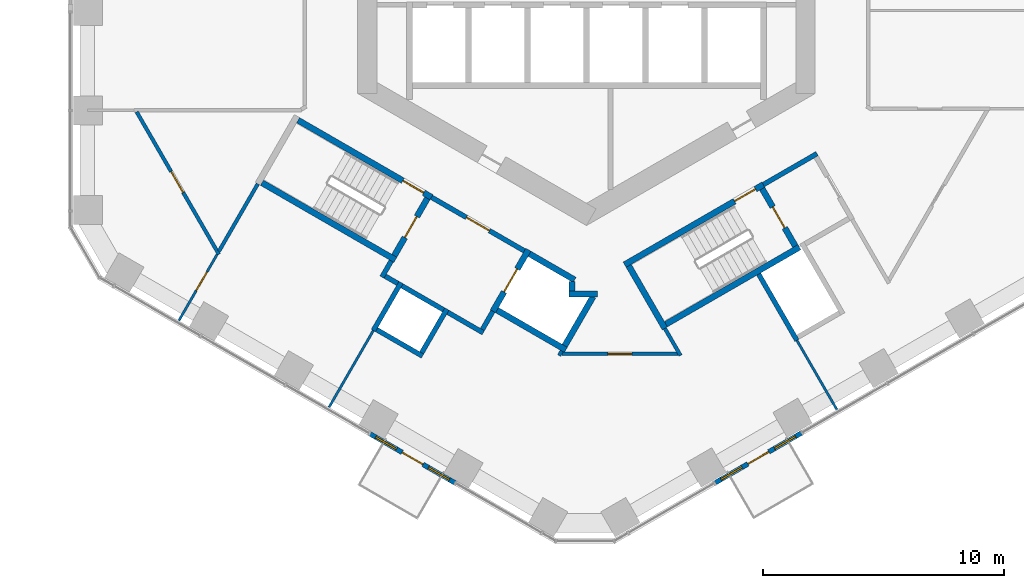
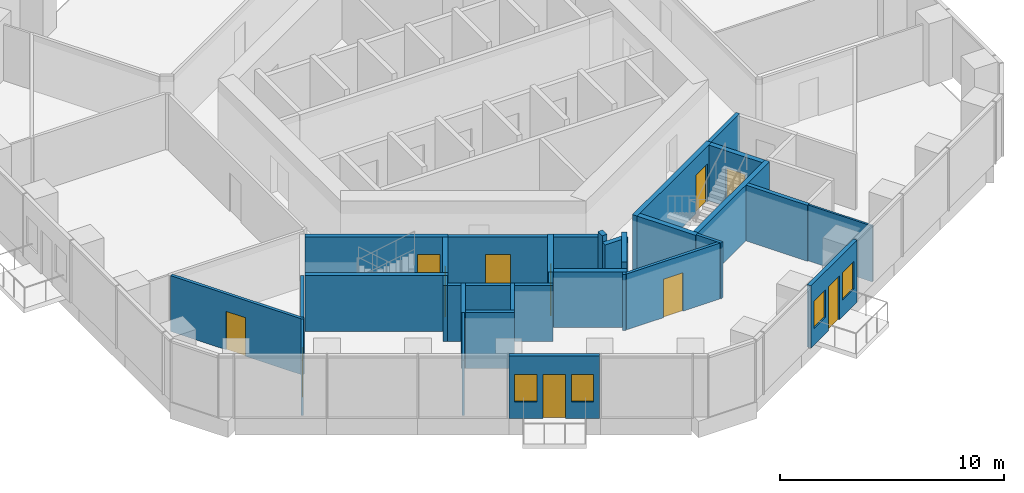
# One storey, part 13 of 20: 34 walls, 11 doors, 4 windows, 15 openings.
"""IFC4 building model written with IfcOpenShell, lengths in metres."""

from ifc_helpers import new_model, si_unit, direction, frame, frame_2d, origin, place, context, subcontext, project, spatial, rectangle, extrude, material, layer, layer_set, type_object, element, fill, save


model = new_model("IFC4")

# Units and contexts
model_context = context("Model", 3, precision=1e-05, world=origin(), true_north=direction((0.0, 1.0)))
body_context = subcontext(model_context, "Body", "Model", "MODEL_VIEW")
ifc_project = project(units=[si_unit("LENGTHUNIT", "METRE"), si_unit("AREAUNIT", "SQUARE_METRE"), si_unit("VOLUMEUNIT", "CUBIC_METRE"), si_unit("PLANEANGLEUNIT", "RADIAN"), si_unit("MASSUNIT", "GRAM", prefix="KILO")], contexts=[model_context])

# Site, building, storey
site_placement = place(None, origin())
site = spatial("IfcSite", under=ifc_project, at=site_placement, CompositionType="ELEMENT")
building_placement = place(site_placement, origin())
building = spatial("IfcBuilding", under=site, at=building_placement, Name="Ayvan Gate Tower", CompositionType="ELEMENT")
storey_placement = place(building_placement, frame((0.0, 0.0, 28.89990234375)))
storey = spatial("IfcBuildingStorey", under=building, at=storey_placement, Name="L06", CompositionType="ELEMENT", Elevation=28.89990234375)

# Wall, openings, door, windows
ifc_material_1 = material(Name="Insulated metal panel wall")
ifc_layer_1 = layer(ifc_material_1, 0.199951171875)
ifc_layer_set_1 = layer_set([ifc_layer_1], Name="Insulated metal panel wall")
wall_type_1 = type_object("IfcWallType", Name="Balcony door wall 200", PredefinedType="SOLIDWALL", material=ifc_layer_set_1)
wall_1_placement = place(storey_placement, frame((-8.981201171875, -19.623046875, 0.0), z_axis=(0.0, 0.0, 1.0), x_axis=(0.866028600041, -0.49999446388, 0.0)))
wall_1 = element("IfcWall", 1, at=wall_1_placement, inside=storey, type_object=wall_type_1, Name="EW:L06:4:3", PredefinedType="SOLIDWALL", context=body_context, shape_type="SweptSolid", body=[
    extrude(rectangle(XDim=4.06591796875, YDim=0.199951171875, at=frame_2d((2.032958984375, 0.0))), origin(), (0.0, 0.0, 1.0), 3.400146484375),
])
opening_1_placement = place(wall_1_placement, frame((1.532958984375, 0.0, 0.0)))
opening_1 = element("IfcOpeningElement", 2, at=opening_1_placement, cuts=wall_1, Name="Opening L06-D94", PredefinedType="OPENING", context=body_context, shape_type="SweptSolid", body=[
    extrude(rectangle(XDim=1.0, YDim=2.39990234375, at=frame_2d((0.5, 1.199951171875))), frame((0.0, 0.10986328125, 0.0), z_axis=(0.0, -1.0, 0.0), x_axis=(1.0, 0.0, 0.0)), (0.0, 0.0, 1.0), 0.219970703125),
])
opening_2_placement = place(wall_1_placement, frame((0.2666015625, 0.0, 0.89990234375)))
opening_2 = element("IfcOpeningElement", 3, at=opening_2_placement, cuts=wall_1, Name="Opening W-B1", PredefinedType="OPENING", context=body_context, shape_type="SweptSolid", body=[
    extrude(rectangle(XDim=1.0, YDim=1.5, at=frame_2d((0.5, 0.75))), frame((0.0, 0.10986328125, 0.0), z_axis=(0.0, -1.0, 0.0), x_axis=(1.0, 0.0, 0.0)), (0.0, 0.0, 1.0), 0.219970703125),
])
opening_3_placement = place(wall_1_placement, frame((2.799560546875, 0.0, 0.89990234375)))
opening_3 = element("IfcOpeningElement", 4, at=opening_3_placement, cuts=wall_1, Name="Opening W-B1", PredefinedType="OPENING", context=body_context, shape_type="SweptSolid", body=[
    extrude(rectangle(XDim=1.0, YDim=1.5, at=frame_2d((0.5, 0.75))), frame((0.0, 0.10986328125, 0.0), z_axis=(0.0, -1.0, 0.0), x_axis=(1.0, 0.0, 0.0)), (0.0, 0.0, 1.0), 0.219970703125),
])
ifc_material_2 = material(Name="Bronze anodised aluminium and clear glass", Category="aluminium")
door_type_1 = type_object("IfcDoorType", Name="Balcony door D-B", OperationType="SINGLE_SWING_RIGHT", PredefinedType="DOOR", material=ifc_material_2)
door_1_placement = place(opening_1_placement, origin())
door_1 = element("IfcDoor", 5, at=door_1_placement, inside=storey, type_object=door_type_1, Name="Balcony door BAL-L06-4", OperationType="SINGLE_SWING_RIGHT", OverallHeight=2.39990234375, OverallWidth=1.0, PredefinedType="DOOR", context=body_context, shape_type="SweptSolid", body=[
    extrude(rectangle(XDim=1.0, YDim=2.39990234375, at=frame_2d((0.5, 1.199951171875))), frame((0.0, 0.02490234375, 0.0), z_axis=(0.0, -1.0, 0.0), x_axis=(1.0, 0.0, 0.0)), (0.0, 0.0, 1.0), 0.050048828125),
])
fill(opening_1, door_1)
window_type = type_object("IfcWindowType", Name="Balcony side light W-B Z1", PartitioningType="SINGLE_PANEL", PredefinedType="WINDOW", material=ifc_material_2)
window_1_placement = place(opening_2_placement, origin())
window_1 = element("IfcWindow", 6, at=window_1_placement, inside=storey, type_object=window_type, Name="Balcony side light BAL-L06-4.1", OverallHeight=1.5, OverallWidth=1.0, PartitioningType="SINGLE_PANEL", PredefinedType="WINDOW", context=body_context, shape_type="SweptSolid", body=[
    extrude(rectangle(XDim=1.0, YDim=1.5, at=frame_2d((0.5, 0.75))), frame((0.0, 0.030029296875, 0.0), z_axis=(0.0, -1.0, 0.0), x_axis=(1.0, 0.0, 0.0)), (0.0, 0.0, 1.0), 0.06005859375),
])
fill(opening_2, window_1)
window_2_placement = place(opening_3_placement, origin())
window_2 = element("IfcWindow", 7, at=window_2_placement, inside=storey, type_object=window_type, Name="Balcony side light BAL-L06-4.2", OverallHeight=1.5, OverallWidth=1.0, PartitioningType="SINGLE_PANEL", PredefinedType="WINDOW", context=body_context, shape_type="SweptSolid", body=[
    extrude(rectangle(XDim=1.0, YDim=1.5, at=frame_2d((0.5, 0.75))), frame((0.0, 0.030029296875, 0.0), z_axis=(0.0, -1.0, 0.0), x_axis=(1.0, 0.0, 0.0)), (0.0, 0.0, 1.0), 0.06005859375),
])
fill(opening_3, window_2)

wall_2_placement = place(storey_placement, frame((5.350830078125, -21.650390625, 0.0), z_axis=(0.0, 0.0, 1.0), x_axis=(0.866028988896, 0.499993790352, 0.0)))
wall_2 = element("IfcWall", 8, at=wall_2_placement, inside=storey, type_object=wall_type_1, Name="EW:L06:5:1", PredefinedType="SOLIDWALL", context=body_context, shape_type="SweptSolid", body=[
    extrude(rectangle(XDim=4.1279296875, YDim=0.199951171875, at=frame_2d((2.06396484375, 0.0))), origin(), (0.0, 0.0, 1.0), 3.400146484375),
])
opening_4_placement = place(wall_2_placement, frame((1.56396484375, 0.0, 0.0)))
opening_4 = element("IfcOpeningElement", 9, at=opening_4_placement, cuts=wall_2, Name="Opening L06-D95", PredefinedType="OPENING", context=body_context, shape_type="SweptSolid", body=[
    extrude(rectangle(XDim=1.0, YDim=2.39990234375, at=frame_2d((0.5, 1.199951171875))), frame((0.0, 0.10986328125, 0.0), z_axis=(0.0, -1.0, 0.0), x_axis=(1.0, 0.0, 0.0)), (0.0, 0.0, 1.0), 0.219970703125),
])
opening_5_placement = place(wall_2_placement, frame((0.281982421875, 0.0, 0.89990234375)))
opening_5 = element("IfcOpeningElement", 10, at=opening_5_placement, cuts=wall_2, Name="Opening W-B1", PredefinedType="OPENING", context=body_context, shape_type="SweptSolid", body=[
    extrude(rectangle(XDim=1.0, YDim=1.5, at=frame_2d((0.5, 0.75))), frame((0.0, 0.10986328125, 0.0), z_axis=(0.0, -1.0, 0.0), x_axis=(1.0, 0.0, 0.0)), (0.0, 0.0, 1.0), 0.219970703125),
])
opening_6_placement = place(wall_2_placement, frame((2.845947265625, 0.0, 0.89990234375)))
opening_6 = element("IfcOpeningElement", 11, at=opening_6_placement, cuts=wall_2, Name="Opening W-B1", PredefinedType="OPENING", context=body_context, shape_type="SweptSolid", body=[
    extrude(rectangle(XDim=1.0, YDim=1.5, at=frame_2d((0.5, 0.75))), frame((0.0, 0.10986328125, 0.0), z_axis=(0.0, -1.0, 0.0), x_axis=(1.0, 0.0, 0.0)), (0.0, 0.0, 1.0), 0.219970703125),
])
door_2_placement = place(opening_4_placement, origin())
door_2 = element("IfcDoor", 12, at=door_2_placement, inside=storey, type_object=door_type_1, Name="Balcony door BAL-L06-5", OperationType="SINGLE_SWING_RIGHT", OverallHeight=2.39990234375, OverallWidth=1.0, PredefinedType="DOOR", context=body_context, shape_type="SweptSolid", body=[
    extrude(rectangle(XDim=1.0, YDim=2.39990234375, at=frame_2d((0.5, 1.199951171875))), frame((0.0, 0.02490234375, 0.0), z_axis=(0.0, -1.0, 0.0), x_axis=(1.0, 0.0, 0.0)), (0.0, 0.0, 1.0), 0.050048828125),
])
fill(opening_4, door_2)
window_3_placement = place(opening_5_placement, origin())
window_3 = element("IfcWindow", 13, at=window_3_placement, inside=storey, type_object=window_type, Name="Balcony side light BAL-L06-5.1", OverallHeight=1.5, OverallWidth=1.0, PartitioningType="SINGLE_PANEL", PredefinedType="WINDOW", context=body_context, shape_type="SweptSolid", body=[
    extrude(rectangle(XDim=1.0, YDim=1.5, at=frame_2d((0.5, 0.75))), frame((0.0, 0.030029296875, 0.0), z_axis=(0.0, -1.0, 0.0), x_axis=(1.0, 0.0, 0.0)), (0.0, 0.0, 1.0), 0.06005859375),
])
fill(opening_5, window_3)
window_4_placement = place(opening_6_placement, origin())
window_4 = element("IfcWindow", 14, at=window_4_placement, inside=storey, type_object=window_type, Name="Balcony side light BAL-L06-5.2", OverallHeight=1.5, OverallWidth=1.0, PartitioningType="SINGLE_PANEL", PredefinedType="WINDOW", context=body_context, shape_type="SweptSolid", body=[
    extrude(rectangle(XDim=1.0, YDim=1.5, at=frame_2d((0.5, 0.75))), frame((0.0, 0.030029296875, 0.0), z_axis=(0.0, -1.0, 0.0), x_axis=(1.0, 0.0, 0.0)), (0.0, 0.0, 1.0), 0.06005859375),
])
fill(opening_6, window_4)

# Wall, opening, door
ifc_material_3 = material(Name="Plasterboard on steel stud", Category="steel")
ifc_layer_2 = layer(ifc_material_3, 0.14990234375)
ifc_layer_set_2 = layer_set([ifc_layer_2], Name="Plasterboard on steel stud")
wall_type_2 = type_object("IfcWallType", Name="WT-CORR-150", PredefinedType="PARTITIONING", material=ifc_layer_set_2)
wall_3_placement = place(storey_placement, frame((-15.26318359375, -12.16650390625, 0.0), z_axis=(0.0, 0.0, 1.0), x_axis=(-0.500022320372, 0.866012516728, 0.0)))
wall_3 = element("IfcWall", 15, at=wall_3_placement, inside=storey, type_object=wall_type_2, Name="IW-L06-005", PredefinedType="PARTITIONING", context=body_context, shape_type="SweptSolid", body=[
    extrude(rectangle(XDim=6.836181640625, YDim=0.14990234375, at=frame_2d((3.41796875, 0.0))), origin(), (0.0, 0.0, 1.0), 3.050048828125),
])
opening_7_placement = place(wall_3_placement, frame((2.972900390625, 0.0, 0.0)))
opening_7 = element("IfcOpeningElement", 16, at=opening_7_placement, cuts=wall_3, Name="Opening L06-D25", PredefinedType="OPENING", context=body_context, shape_type="SweptSolid", body=[
    extrude(rectangle(XDim=1.0, YDim=2.10009765625, at=frame_2d((0.5, 1.050048828125))), frame((0.0, 0.0849609375, 0.0), z_axis=(0.0, -1.0, 0.0), x_axis=(1.0, 0.0, 0.0)), (0.0, 0.0, 1.0), 0.169921875),
])
ifc_material_4 = material(Name="Timber door leaf", Category="wood")
door_type_2 = type_object("IfcDoorType", Name="DT-1000", OperationType="NOTDEFINED", PredefinedType="DOOR", material=ifc_material_4)
door_3_placement = place(opening_7_placement, origin())
door_3 = element("IfcDoor", 17, at=door_3_placement, inside=storey, type_object=door_type_2, Name="ID-L06-025", OperationType="SINGLE_SWING_LEFT", OverallHeight=2.10009765625, OverallWidth=1.0, PredefinedType="DOOR", context=body_context, shape_type="SweptSolid", body=[
    extrude(rectangle(XDim=1.0, YDim=2.10009765625, at=frame_2d((0.5, 1.050048828125))), frame((0.0, 0.02490234375, 0.0), z_axis=(0.0, -1.0, 0.0), x_axis=(1.0, 0.0, 0.0)), (0.0, 0.0, 1.0), 0.050048828125),
])
fill(opening_7, door_3)

# Walls
wall_4_placement = place(storey_placement, frame((-13.647705078125, -9.23876953125, 0.0), z_axis=(0.0, 0.0, 1.0), x_axis=(-0.500032073372, -0.866006885423, 0.0)))
element("IfcWall", 18, at=wall_4_placement, inside=storey, type_object=wall_type_2, Name="IW-L06-009", PredefinedType="PARTITIONING", context=body_context, shape_type="SweptSolid", body=[
    extrude(rectangle(XDim=3.230712890625, YDim=0.14990234375, at=frame_2d((1.615234375, 0.0))), origin(), (0.0, 0.0, 1.0), 3.050048828125),
])
wall_5_placement = place(storey_placement, frame((-1.135498046875, -16.36669921875, 0.0), z_axis=(0.0, 0.0, 1.0), x_axis=(0.500014901547, 0.866016800201, 0.0)))
element("IfcWall", 19, at=wall_5_placement, inside=storey, type_object=wall_type_2, Name="IW-L06-045", PredefinedType="PARTITIONING", context=body_context, shape_type="SweptSolid", body=[
    extrude(rectangle(XDim=0.216796875, YDim=0.14990234375, at=frame_2d((0.1083984375, 0.0))), origin(), (0.0, 0.0, 1.0), 3.050048828125),
])
wall_6_placement = place(storey_placement, frame((3.255615234375, -15.23876953125, 0.0), z_axis=(0.0, 0.0, 1.0), x_axis=(0.499949632511, -0.866054481515, 0.0)))
element("IfcWall", 20, at=wall_6_placement, inside=storey, type_object=wall_type_2, Name="IW-L06-066", PredefinedType="PARTITIONING", context=body_context, shape_type="SweptSolid", body=[
    extrude(rectangle(XDim=1.302490234375, YDim=0.14990234375, at=frame_2d((0.6513671875, 0.0))), origin(), (0.0, 0.0, 1.0), 3.050048828125),
])

# Wall, opening, door
wall_7_placement = place(storey_placement, frame((3.794189453125, -16.301513671875, 0.0), z_axis=(0.0, 0.0, 1.0), x_axis=(-1.0, 0.0, 0.0)))
wall_7 = element("IfcWall", 21, at=wall_7_placement, inside=storey, type_object=wall_type_2, Name="IW-L06-069", PredefinedType="PARTITIONING", context=body_context, shape_type="SweptSolid", body=[
    extrude(rectangle(XDim=4.817138671875, YDim=0.14990234375, at=frame_2d((2.40869140625, 0.0))), origin(), (0.0, 0.0, 1.0), 3.050048828125),
])
opening_8_placement = place(wall_7_placement, frame((1.908447265625, 0.0, 0.0)))
opening_8 = element("IfcOpeningElement", 22, at=opening_8_placement, cuts=wall_7, Name="Opening L06-D27", PredefinedType="OPENING", context=body_context, shape_type="SweptSolid", body=[
    extrude(rectangle(XDim=1.0, YDim=2.10009765625, at=frame_2d((0.5, 1.050048828125))), frame((0.0, 0.0849609375, 0.0), z_axis=(0.0, -1.0, 0.0), x_axis=(1.0, 0.0, 0.0)), (0.0, 0.0, 1.0), 0.169921875),
])
door_4_placement = place(opening_8_placement, origin())
door_4 = element("IfcDoor", 23, at=door_4_placement, inside=storey, type_object=door_type_2, Name="ID-L06-027", OperationType="SINGLE_SWING_LEFT", OverallHeight=2.10009765625, OverallWidth=1.0, PredefinedType="DOOR", context=body_context, shape_type="SweptSolid", body=[
    extrude(rectangle(XDim=1.0, YDim=2.10009765625, at=frame_2d((0.5, 1.050048828125))), frame((0.0, 0.02490234375, 0.0), z_axis=(0.0, -1.0, 0.0), x_axis=(1.0, 0.0, 0.0)), (0.0, 0.0, 1.0), 0.050048828125),
])
fill(opening_8, door_4)

ifc_layer_3 = layer(ifc_material_3, 0.10009765625)
ifc_layer_set_3 = layer_set([ifc_layer_3], Name="Plasterboard on steel stud")
wall_type_3 = type_object("IfcWallType", Name="WT-PART-100", PredefinedType="PARTITIONING", material=ifc_layer_set_3)
wall_8_placement = place(storey_placement, frame((-15.338134765625, -12.16650390625, 0.0), z_axis=(0.0, 0.0, 1.0), x_axis=(-0.500017526161, -0.866015284814, 0.0)))
wall_8 = element("IfcWall", 24, at=wall_8_placement, inside=storey, type_object=wall_type_3, Name="IW-L06-006", PredefinedType="PARTITIONING", context=body_context, shape_type="SweptSolid", body=[
    extrude(rectangle(XDim=3.17529296875, YDim=0.10009765625, at=frame_2d((1.587646484375, 0.0))), origin(), (0.0, 0.0, 1.0), 3.050048828125),
])
opening_9_placement = place(wall_8_placement, frame((0.839599609375, 0.0, 0.0)))
opening_9 = element("IfcOpeningElement", 25, at=opening_9_placement, cuts=wall_8, Name="Opening L06-D26", PredefinedType="OPENING", context=body_context, shape_type="SweptSolid", body=[
    extrude(rectangle(XDim=0.89990234375, YDim=2.10009765625, at=frame_2d((0.449951171875, 1.050048828125))), frame((0.0, 0.06005859375, 0.0), z_axis=(0.0, -1.0, 0.0), x_axis=(1.0, 0.0, 0.0)), (0.0, 0.0, 1.0), 0.1201171875),
])
door_type_3 = type_object("IfcDoorType", Name="DT-900", OperationType="NOTDEFINED", PredefinedType="DOOR", material=ifc_material_4)
door_5_placement = place(opening_9_placement, origin())
door_5 = element("IfcDoor", 26, at=door_5_placement, inside=storey, type_object=door_type_3, Name="ID-L06-026", OperationType="SINGLE_SWING_RIGHT", OverallHeight=2.10009765625, OverallWidth=0.89990234375, PredefinedType="DOOR", context=body_context, shape_type="SweptSolid", body=[
    extrude(rectangle(XDim=0.89990234375, YDim=2.10009765625, at=frame_2d((0.449951171875, 1.050048828125))), frame((0.0, 0.02490234375, 0.0), z_axis=(0.0, -1.0, 0.0), x_axis=(1.0, 0.0, 0.0)), (0.0, 0.0, 1.0), 0.050048828125),
])
fill(opening_9, door_5)

# Walls
wall_9_placement = place(storey_placement, frame((-8.85009765625, -15.32861328125, 0.0), z_axis=(0.0, 0.0, 1.0), x_axis=(-0.499955964762, -0.866050826049, 0.0)))
element("IfcWall", 27, at=wall_9_placement, inside=storey, type_object=wall_type_3, Name="IW-L06-018", PredefinedType="PARTITIONING", context=body_context, shape_type="SweptSolid", body=[
    extrude(rectangle(XDim=3.680419921875, YDim=0.10009765625, at=frame_2d((1.84033203125, 0.0))), origin(), (0.0, 0.0, 1.0), 3.050048828125),
])
wall_10_placement = place(storey_placement, frame((8.739990234375, -15.73828125, 0.0), z_axis=(0.0, 0.0, 1.0), x_axis=(0.500036335164, -0.866004424651, 0.0)))
element("IfcWall", 28, at=wall_10_placement, inside=storey, type_object=wall_type_3, Name="IW-L06-086", PredefinedType="PARTITIONING", context=body_context, shape_type="SweptSolid", body=[
    extrude(rectangle(XDim=3.321533203125, YDim=0.10009765625, at=frame_2d((1.66064453125, 0.0))), origin(), (0.0, 0.0, 1.0), 3.050048828125),
])
ifc_layer_4 = layer(ifc_material_3, 0.199951171875)
ifc_layer_set_4 = layer_set([ifc_layer_4], Name="Plasterboard on steel stud")
wall_type_4 = type_object("IfcWallType", Name="WT-PLUMB-200", PredefinedType="PLUMBINGWALL", material=ifc_layer_set_4)
wall_11_placement = place(storey_placement, frame((-8.85009765625, -15.32861328125, 0.0), z_axis=(0.0, 0.0, 1.0), x_axis=(0.500077740698, 0.865980515519, 0.0)))
element("IfcWall", 29, at=wall_11_placement, inside=storey, type_object=wall_type_4, Name="IW-L06-017", PredefinedType="PLUMBINGWALL", context=body_context, shape_type="SweptSolid", body=[
    extrude(rectangle(XDim=2.300048828125, YDim=0.199951171875, at=frame_2d((1.14990234375, 0.0))), origin(), (0.0, 0.0, 1.0), 3.050048828125),
])
wall_12_placement = place(storey_placement, frame((-6.80810546875, -16.39208984375, 0.0), z_axis=(0.0, 0.0, 1.0), x_axis=(-0.866008176907, 0.50002983664, 0.0)))
element("IfcWall", 30, at=wall_12_placement, inside=storey, type_object=wall_type_4, Name="IW-L06-028", PredefinedType="PLUMBINGWALL", context=body_context, shape_type="SweptSolid", body=[
    extrude(rectangle(XDim=2.199951171875, YDim=0.199951171875, at=frame_2d((1.10009765625, 0.0))), origin(), (0.0, 0.0, 1.0), 3.050048828125),
])
wall_13_placement = place(storey_placement, frame((-5.794677734375, -14.436767578125, 0.0), z_axis=(0.0, 0.0, 1.0), x_axis=(-0.500027713859, -0.866009402589, 0.0)))
element("IfcWall", 31, at=wall_13_placement, inside=storey, type_object=wall_type_4, Name="IW-L06-031", PredefinedType="PLUMBINGWALL", context=body_context, shape_type="SweptSolid", body=[
    extrude(rectangle(XDim=2.10009765625, YDim=0.199951171875, at=frame_2d((1.050048828125, 0.0))), origin(), (0.0, 0.0, 1.0), 3.050048828125),
])
wall_14_placement = place(storey_placement, frame((-5.931396484375, -14.473388671875, 0.0), z_axis=(0.0, 0.0, 1.0), x_axis=(-0.866041268327, 0.499972520799, 0.0)))
element("IfcWall", 32, at=wall_14_placement, inside=storey, type_object=wall_type_4, Name="IW-L06-032", PredefinedType="PLUMBINGWALL", context=body_context, shape_type="SweptSolid", body=[
    extrude(rectangle(XDim=2.0, YDim=0.199951171875, at=frame_2d((1.0, 0.0))), origin(), (0.0, 0.0, 1.0), 3.050048828125),
])
wall_15_placement = place(storey_placement, frame((7.152587890625, -12.98876953125, 0.0), z_axis=(0.0, 0.0, 1.0), x_axis=(0.500017526161, -0.866015284814, 0.0)))
element("IfcWall", 33, at=wall_15_placement, inside=storey, type_object=wall_type_4, Name="IW-L06-085", PredefinedType="PLUMBINGWALL", context=body_context, shape_type="SweptSolid", body=[
    extrude(rectangle(XDim=3.17529296875, YDim=0.199951171875, at=frame_2d((1.587646484375, 0.0))), origin(), (0.0, 0.0, 1.0), 3.050048828125),
])
ifc_layer_5 = layer(ifc_material_3, 0.199951171875)
ifc_layer_set_5 = layer_set([ifc_layer_5], Name="Plasterboard on steel stud")
wall_type_5 = type_object("IfcWallType", Name="WT-RATED-200", PredefinedType="PARTITIONING", material=ifc_layer_set_5)
wall_16_placement = place(storey_placement, frame((-8.492919921875, -13.110107421875, 0.0), z_axis=(0.0, 0.0, 1.0), x_axis=(0.500067724834, 0.865986299303, 0.0)))
element("IfcWall", 34, at=wall_16_placement, inside=storey, type_object=wall_type_5, Name="IW-L06-020", PredefinedType="PARTITIONING", context=body_context, shape_type="SweptSolid", body=[
    extrude(rectangle(XDim=0.775390625, YDim=0.199951171875, at=frame_2d((0.3876953125, 0.0))), origin(), (0.0, 0.0, 1.0), 3.050048828125),
])
wall_17_placement = place(storey_placement, frame((-7.83642578125, -13.373291015625, 0.0), z_axis=(0.0, 0.0, 1.0), x_axis=(-0.866232998003, 0.499640263761, 0.0)))
element("IfcWall", 35, at=wall_17_placement, inside=storey, type_object=wall_type_5, Name="IW-L06-022", PredefinedType="PARTITIONING", context=body_context, shape_type="SweptSolid", body=[
    extrude(rectangle(XDim=0.60009765625, YDim=0.199951171875, at=frame_2d((0.300048828125, 0.0))), origin(), (0.0, 0.0, 1.0), 3.050048828125),
])

# Wall, opening, door
wall_18_placement = place(storey_placement, frame((-6.4345703125, -9.794921875, 0.0), z_axis=(0.0, 0.0, 1.0), x_axis=(0.866012907634, -0.500021643343, 0.0)))
wall_18 = element("IfcWall", 36, at=wall_18_placement, inside=storey, type_object=wall_type_5, Name="IW-L06-030", PredefinedType="PARTITIONING", context=body_context, shape_type="SweptSolid", body=[
    extrude(rectangle(XDim=4.449951171875, YDim=0.199951171875, at=frame_2d((2.22509765625, 0.0))), origin(), (0.0, 0.0, 1.0), 3.050048828125),
])
opening_10_placement = place(wall_18_placement, frame((1.675048828125, 0.0, 0.0)))
opening_10 = element("IfcOpeningElement", 37, at=opening_10_placement, cuts=wall_18, Name="Opening L06-D12", PredefinedType="OPENING", context=body_context, shape_type="SweptSolid", body=[
    extrude(rectangle(XDim=1.10009765625, YDim=2.10009765625, at=frame_2d((0.550048828125, 1.050048828125))), frame((0.0, 0.10986328125, 0.0), z_axis=(0.0, -1.0, 0.0), x_axis=(1.0, 0.0, 0.0)), (0.0, 0.0, 1.0), 0.219970703125),
])
door_type_4 = type_object("IfcDoorType", Name="DT-1100", OperationType="NOTDEFINED", PredefinedType="DOOR", material=ifc_material_4)
door_6_placement = place(opening_10_placement, origin())
door_6 = element("IfcDoor", 38, at=door_6_placement, inside=storey, type_object=door_type_4, Name="ID-L06-012", OperationType="SINGLE_SWING_RIGHT", OverallHeight=2.10009765625, OverallWidth=1.10009765625, PredefinedType="DOOR", context=body_context, shape_type="SweptSolid", body=[
    extrude(rectangle(XDim=1.10009765625, YDim=2.10009765625, at=frame_2d((0.550048828125, 1.050048828125))), frame((0.0, 0.02490234375, 0.0), z_axis=(0.0, -1.0, 0.0), x_axis=(1.0, 0.0, 0.0)), (0.0, 0.0, 1.0), 0.050048828125),
])
fill(opening_10, door_6)

# Walls
wall_19_placement = place(storey_placement, frame((-4.285888671875, -15.42333984375, 0.0), z_axis=(0.0, 0.0, 1.0), x_axis=(-0.866025371046, 0.500000056704, 0.0)))
element("IfcWall", 39, at=wall_19_placement, inside=storey, type_object=wall_type_5, Name="IW-L06-037", PredefinedType="PARTITIONING", context=body_context, shape_type="SweptSolid", body=[
    extrude(rectangle(XDim=1.7001953125, YDim=0.199951171875, at=frame_2d((0.85009765625, 0.0))), origin(), (0.0, 0.0, 1.0), 3.050048828125),
])
wall_20_placement = place(storey_placement, frame((-3.885009765625, -14.52880859375, 0.0), z_axis=(0.0, 0.0, 1.0), x_axis=(-0.499859285417, -0.866106630146, 0.0)))
element("IfcWall", 40, at=wall_20_placement, inside=storey, type_object=wall_type_5, Name="IW-L06-038", PredefinedType="PARTITIONING", context=body_context, shape_type="SweptSolid", body=[
    extrude(rectangle(XDim=0.875244140625, YDim=0.199951171875, at=frame_2d((0.4375, 0.0))), origin(), (0.0, 0.0, 1.0), 3.050048828125),
])
wall_21_placement = place(storey_placement, frame((7.343994140625, -9.27001953125, 0.0), z_axis=(0.0, 0.0, 1.0), x_axis=(0.866005588531, 0.500034319456, 0.0)))
element("IfcWall", 41, at=wall_21_placement, inside=storey, type_object=wall_type_5, Name="IW-L06-078", PredefinedType="PARTITIONING", context=body_context, shape_type="SweptSolid", body=[
    extrude(rectangle(XDim=2.574951171875, YDim=0.199951171875, at=frame_2d((1.28759765625, 0.0))), origin(), (0.0, 0.0, 1.0), 3.050048828125),
])

# Wall, opening, door
ifc_material_5 = material(Name="Concrete C50/60", Category="concrete")
ifc_layer_6 = layer(ifc_material_5, 0.25)
ifc_layer_set_6 = layer_set([ifc_layer_6], Name="Concrete C50/60")
wall_type_6 = type_object("IfcWallType", Name="WT-RC-250", PredefinedType="SHEAR", material=ifc_layer_set_6)
wall_22_placement = place(storey_placement, frame((-11.97705078125, -6.594970703125, 0.0), z_axis=(0.0, 0.0, 1.0), x_axis=(0.866025499775, -0.499999833739, 0.0)))
wall_22 = element("IfcWall", 42, at=wall_22_placement, inside=storey, type_object=wall_type_6, Name="IW-L06-010", PredefinedType="SHEAR", context=body_context, shape_type="SweptSolid", body=[
    extrude(rectangle(XDim=6.39990234375, YDim=0.25, at=frame_2d((3.199951171875, 0.0))), origin(), (0.0, 0.0, 1.0), 3.050048828125),
])
opening_11_placement = place(wall_22_placement, frame((5.02490234375, 0.0, 0.0)))
opening_11 = element("IfcOpeningElement", 43, at=opening_11_placement, cuts=wall_22, Name="Opening L06-D10", PredefinedType="OPENING", context=body_context, shape_type="SweptSolid", body=[
    extrude(rectangle(XDim=1.0, YDim=2.10009765625, at=frame_2d((0.5, 1.050048828125))), frame((0.0, 0.135009765625, 0.0), z_axis=(0.0, -1.0, 0.0), x_axis=(1.0, 0.0, 0.0)), (0.0, 0.0, 1.0), 0.27001953125),
])
door_7_placement = place(opening_11_placement, origin())
door_7 = element("IfcDoor", 44, at=door_7_placement, inside=storey, type_object=door_type_2, Name="ID-L06-010", OperationType="SINGLE_SWING_RIGHT", OverallHeight=2.10009765625, OverallWidth=1.0, PredefinedType="DOOR", context=body_context, shape_type="SweptSolid", body=[
    extrude(rectangle(XDim=1.0, YDim=2.10009765625, at=frame_2d((0.5, 1.050048828125))), frame((0.0, 0.02490234375, 0.0), z_axis=(0.0, -1.0, 0.0), x_axis=(1.0, 0.0, 0.0)), (0.0, 0.0, 1.0), 0.050048828125),
])
fill(opening_11, door_7)

# Wall
wall_23_placement = place(storey_placement, frame((-7.9345703125, -12.39306640625, 0.0), z_axis=(0.0, 0.0, 1.0), x_axis=(-0.866025499775, 0.499999833739, 0.0)))
element("IfcWall", 45, at=wall_23_placement, inside=storey, type_object=wall_type_6, Name="IW-L06-021", PredefinedType="SHEAR", context=body_context, shape_type="SweptSolid", body=[
    extrude(rectangle(XDim=6.39990234375, YDim=0.25, at=frame_2d((3.199951171875, 0.0))), origin(), (0.0, 0.0, 1.0), 3.050048828125),
])

# Wall, opening, door
wall_24_placement = place(storey_placement, frame((-6.605224609375, -9.8408203125, 0.0), z_axis=(0.0, 0.0, 1.0), x_axis=(-0.499996545922, -0.866027397988, 0.0)))
wall_24 = element("IfcWall", 46, at=wall_24_placement, inside=storey, type_object=wall_type_6, Name="IW-L06-029", PredefinedType="SHEAR", context=body_context, shape_type="SweptSolid", body=[
    extrude(rectangle(XDim=2.75, YDim=0.25, at=frame_2d((1.375, 0.0))), origin(), (0.0, 0.0, 1.0), 3.050048828125),
])
opening_12_placement = place(wall_24_placement, frame((0.875, 0.0, 0.0)))
opening_12 = element("IfcOpeningElement", 47, at=opening_12_placement, cuts=wall_24, Name="Opening L06-D11", PredefinedType="OPENING", context=body_context, shape_type="SweptSolid", body=[
    extrude(rectangle(XDim=1.0, YDim=2.10009765625, at=frame_2d((0.5, 1.050048828125))), frame((0.0, 0.135009765625, 0.0), z_axis=(0.0, -1.0, 0.0), x_axis=(1.0, 0.0, 0.0)), (0.0, 0.0, 1.0), 0.27001953125),
])
door_8_placement = place(opening_12_placement, origin())
door_8 = element("IfcDoor", 48, at=door_8_placement, inside=storey, type_object=door_type_2, Name="ID-L06-011", OperationType="SINGLE_SWING_LEFT", OverallHeight=2.10009765625, OverallWidth=1.0, PredefinedType="DOOR", context=body_context, shape_type="SweptSolid", body=[
    extrude(rectangle(XDim=1.0, YDim=2.10009765625, at=frame_2d((0.5, 1.050048828125))), frame((0.0, 0.02490234375, 0.0), z_axis=(0.0, -1.0, 0.0), x_axis=(1.0, 0.0, 0.0)), (0.0, 0.0, 1.0), 0.050048828125),
])
fill(opening_12, door_8)

wall_25_placement = place(storey_placement, frame((-2.409912109375, -11.97412109375, 0.0), z_axis=(0.0, 0.0, 1.0), x_axis=(-0.500001826776, -0.866024349092, 0.0)))
wall_25 = element("IfcWall", 49, at=wall_25_placement, inside=storey, type_object=wall_type_6, Name="IW-L06-041", PredefinedType="SHEAR", context=body_context, shape_type="SweptSolid", body=[
    extrude(rectangle(XDim=2.9501953125, YDim=0.25, at=frame_2d((1.47509765625, 0.0))), origin(), (0.0, 0.0, 1.0), 3.050048828125),
])
opening_13_placement = place(wall_25_placement, frame((0.925048828125, 0.0, 0.0)))
opening_13 = element("IfcOpeningElement", 50, at=opening_13_placement, cuts=wall_25, Name="Opening L06-LD-FF2", PredefinedType="OPENING", context=body_context, shape_type="SweptSolid", body=[
    extrude(rectangle(XDim=1.10009765625, YDim=2.10009765625, at=frame_2d((0.550048828125, 1.050048828125))), frame((0.0, 0.135009765625, 0.0), z_axis=(0.0, -1.0, 0.0), x_axis=(1.0, 0.0, 0.0)), (0.0, 0.0, 1.0), 0.27001953125),
])
ifc_material_6 = material(Name="Stainless steel landing door", Category="steel")
door_type_5 = type_object("IfcDoorType", Name="DT-LANDING-1100", OperationType="SLIDING_TO_LEFT", PredefinedType="DOOR", material=ifc_material_6)
door_9_placement = place(opening_13_placement, origin())
door_9 = element("IfcDoor", 51, at=door_9_placement, inside=storey, type_object=door_type_5, Name="ID-L06-013", OperationType="SLIDING_TO_LEFT", OverallHeight=2.10009765625, OverallWidth=1.10009765625, PredefinedType="DOOR", context=body_context, shape_type="SweptSolid", body=[
    extrude(rectangle(XDim=1.10009765625, YDim=2.10009765625, at=frame_2d((0.550048828125, 1.050048828125))), frame((0.0, 0.02490234375, 0.0), z_axis=(0.0, -1.0, 0.0), x_axis=(1.0, 0.0, 0.0)), (0.0, 0.0, 1.0), 0.050048828125),
])
fill(opening_13, door_9)

# Walls
wall_26_placement = place(storey_placement, frame((-2.3642578125, -12.14501953125, 0.0), z_axis=(0.0, 0.0, 1.0), x_axis=(0.86603892542, -0.499976579108, 0.0)))
element("IfcWall", 52, at=wall_26_placement, inside=storey, type_object=wall_type_6, Name="IW-L06-042", PredefinedType="SHEAR", context=body_context, shape_type="SweptSolid", body=[
    extrude(rectangle(XDim=2.162109375, YDim=0.25, at=frame_2d((1.0810546875, 0.0))), origin(), (0.0, 0.0, 1.0), 3.050048828125),
])
wall_27_placement = place(storey_placement, frame((-0.8564453125, -16.13330078125, 0.0), z_axis=(0.0, 0.0, 1.0), x_axis=(-0.866021716278, 0.500006386895, 0.0)))
element("IfcWall", 53, at=wall_27_placement, inside=storey, type_object=wall_type_6, Name="IW-L06-046", PredefinedType="SHEAR", context=body_context, shape_type="SweptSolid", body=[
    extrude(rectangle(XDim=3.2998046875, YDim=0.25, at=frame_2d((1.64990234375, 0.0))), origin(), (0.0, 0.0, 1.0), 3.050048828125),
])
wall_28_placement = place(storey_placement, frame((-0.72509765625, -13.81005859375, 0.0), z_axis=(0.0, 0.0, 1.0), x_axis=(1.0, 0.0, 0.0)))
element("IfcWall", 54, at=wall_28_placement, inside=storey, type_object=wall_type_6, Name="IW-L06-048", PredefinedType="SHEAR", context=body_context, shape_type="SweptSolid", body=[
    extrude(rectangle(XDim=1.190673828125, YDim=0.25, at=frame_2d((0.59521484375, 0.0))), origin(), (0.0, 0.0, 1.0), 3.050048828125),
])
wall_29_placement = place(storey_placement, frame((-0.60009765625, -13.28857421875, 0.0), z_axis=(0.0, 0.0, 1.0), x_axis=(0.0, -1.0, 0.0)))
element("IfcWall", 55, at=wall_29_placement, inside=storey, type_object=wall_type_6, Name="IW-L06-049", PredefinedType="SHEAR", context=body_context, shape_type="SweptSolid", body=[
    extrude(rectangle(XDim=0.396484375, YDim=0.25, at=frame_2d((0.1982421875, 0.0))), origin(), (0.0, 0.0, 1.0), 3.400146484375),
])
wall_30_placement = place(storey_placement, frame((0.278076171875, -13.918212890625, 0.0), z_axis=(0.0, 0.0, 1.0), x_axis=(-0.49998806882, -0.866032292145, 0.0)))
element("IfcWall", 56, at=wall_30_placement, inside=storey, type_object=wall_type_6, Name="IW-L06-055", PredefinedType="SHEAR", context=body_context, shape_type="SweptSolid", body=[
    extrude(rectangle(XDim=2.3603515625, YDim=0.25, at=frame_2d((1.18017578125, 0.0))), origin(), (0.0, 0.0, 1.0), 3.400146484375),
])

# Wall, opening, door
wall_31_placement = place(storey_placement, frame((1.584716796875, -12.594970703125, 0.0), z_axis=(0.0, 0.0, 1.0), x_axis=(0.866036417653, 0.499980922934, 0.0)))
wall_31 = element("IfcWall", 57, at=wall_31_placement, inside=storey, type_object=wall_type_6, Name="IW-L06-061", PredefinedType="SHEAR", context=body_context, shape_type="SweptSolid", body=[
    extrude(rectangle(XDim=6.650146484375, YDim=0.25, at=frame_2d((3.3251953125, 0.0))), origin(), (0.0, 0.0, 1.0), 3.050048828125),
])
opening_14_placement = place(wall_31_placement, frame((5.27490234375, 0.0, 0.0)))
opening_14 = element("IfcOpeningElement", 58, at=opening_14_placement, cuts=wall_31, Name="Opening L06-D14", PredefinedType="OPENING", context=body_context, shape_type="SweptSolid", body=[
    extrude(rectangle(XDim=1.0, YDim=2.10009765625, at=frame_2d((0.5, 1.050048828125))), frame((0.0, 0.135009765625, 0.0), z_axis=(0.0, -1.0, 0.0), x_axis=(1.0, 0.0, 0.0)), (0.0, 0.0, 1.0), 0.27001953125),
])
door_10_placement = place(opening_14_placement, origin())
door_10 = element("IfcDoor", 59, at=door_10_placement, inside=storey, type_object=door_type_2, Name="ID-L06-014", OperationType="SINGLE_SWING_RIGHT", OverallHeight=2.10009765625, OverallWidth=1.0, PredefinedType="DOOR", context=body_context, shape_type="SweptSolid", body=[
    extrude(rectangle(XDim=1.0, YDim=2.10009765625, at=frame_2d((0.5, 1.050048828125))), frame((0.0, 0.02490234375, 0.0), z_axis=(0.0, -1.0, 0.0), x_axis=(1.0, 0.0, 0.0)), (0.0, 0.0, 1.0), 0.050048828125),
])
fill(opening_14, door_10)

# Walls
wall_32_placement = place(storey_placement, frame((3.255615234375, -15.23876953125, 0.0), z_axis=(0.0, 0.0, 1.0), x_axis=(-0.50002537861, 0.866010750942, 0.0)))
element("IfcWall", 60, at=wall_32_placement, inside=storey, type_object=wall_type_6, Name="IW-L06-067", PredefinedType="SHEAR", context=body_context, shape_type="SweptSolid", body=[
    extrude(rectangle(XDim=2.999755859375, YDim=0.25, at=frame_2d((1.5, 0.0))), origin(), (0.0, 0.0, 1.0), 3.050048828125),
])
wall_33_placement = place(storey_placement, frame((3.30126953125, -15.068115234375, 0.0), z_axis=(0.0, 0.0, 1.0), x_axis=(0.866035036182, 0.499983315828, 0.0)))
element("IfcWall", 61, at=wall_33_placement, inside=storey, type_object=wall_type_6, Name="IW-L06-076", PredefinedType="SHEAR", context=body_context, shape_type="SweptSolid", body=[
    extrude(rectangle(XDim=6.400146484375, YDim=0.25, at=frame_2d((3.2001953125, 0.0))), origin(), (0.0, 0.0, 1.0), 3.050048828125),
])

# Wall, opening, door
wall_34_placement = place(storey_placement, frame((7.298095703125, -9.44091796875, 0.0), z_axis=(0.0, 0.0, 1.0), x_axis=(0.500034990121, -0.866005201286, 0.0)))
wall_34 = element("IfcWall", 62, at=wall_34_placement, inside=storey, type_object=wall_type_6, Name="IW-L06-077", PredefinedType="SHEAR", context=body_context, shape_type="SweptSolid", body=[
    extrude(rectangle(XDim=2.749755859375, YDim=0.25, at=frame_2d((1.375, 0.0))), origin(), (0.0, 0.0, 1.0), 3.050048828125),
])
opening_15_placement = place(wall_34_placement, frame((0.875, 0.0, 0.0)))
opening_15 = element("IfcOpeningElement", 63, at=opening_15_placement, cuts=wall_34, Name="Opening L06-D16", PredefinedType="OPENING", context=body_context, shape_type="SweptSolid", body=[
    extrude(rectangle(XDim=1.0, YDim=2.10009765625, at=frame_2d((0.5, 1.050048828125))), frame((0.0, 0.135009765625, 0.0), z_axis=(0.0, -1.0, 0.0), x_axis=(1.0, 0.0, 0.0)), (0.0, 0.0, 1.0), 0.27001953125),
])
door_11_placement = place(opening_15_placement, origin())
door_11 = element("IfcDoor", 64, at=door_11_placement, inside=storey, type_object=door_type_2, Name="ID-L06-016", OperationType="SINGLE_SWING_RIGHT", OverallHeight=2.10009765625, OverallWidth=1.0, PredefinedType="DOOR", context=body_context, shape_type="SweptSolid", body=[
    extrude(rectangle(XDim=1.0, YDim=2.10009765625, at=frame_2d((0.5, 1.050048828125))), frame((0.0, 0.02490234375, 0.0), z_axis=(0.0, -1.0, 0.0), x_axis=(1.0, 0.0, 0.0)), (0.0, 0.0, 1.0), 0.050048828125),
])
fill(opening_15, door_11)

save(model, "model.ifc")
